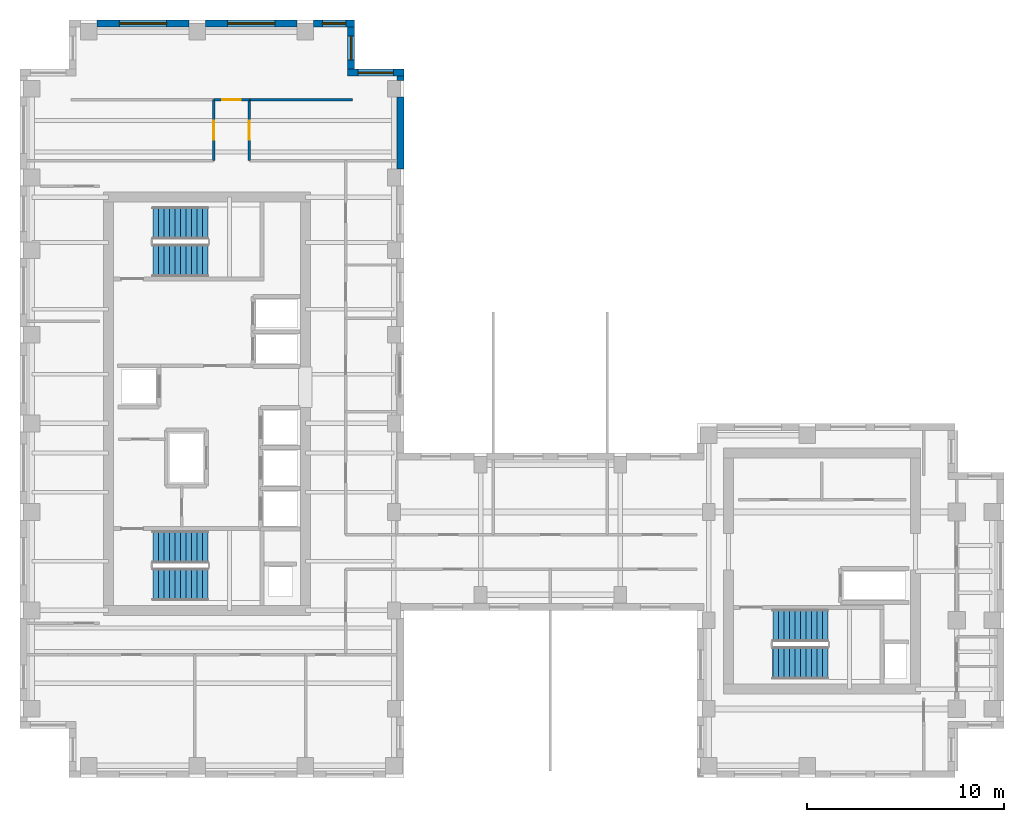
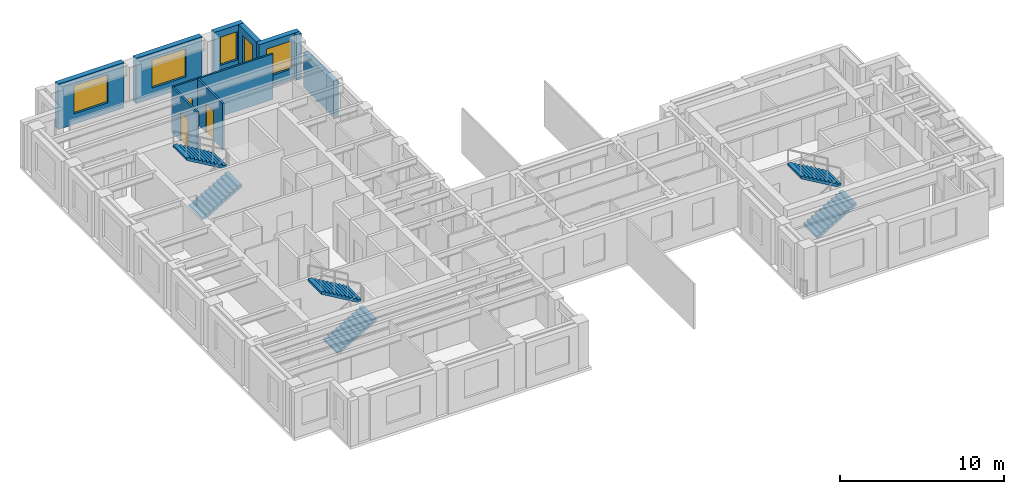
# One storey, part 9 of 11: 11 walls, 6 stair flights, 5 windows, 3 doors, 8 openings, 3 elements without a shape of their own.
"""IFC4 building model written with IfcOpenShell, lengths in metres."""

from ifc_helpers import new_model, si_unit, direction, frame, frame_2d, origin, place, context, subcontext, project, spatial, polyline, rectangle, outline, extrude, source, transform, mapped, material, layer, layer_set, type_object, element, fill, aggregate, save


model = new_model("IFC4")

# Units and contexts
model_context = context("Model", 3, precision=1e-05, world=origin(), true_north=direction((0.0, 1.0)))
body_context = subcontext(model_context, "Body", "Model", "MODEL_VIEW")
ifc_project = project(units=[si_unit("LENGTHUNIT", "METRE"), si_unit("AREAUNIT", "SQUARE_METRE"), si_unit("VOLUMEUNIT", "CUBIC_METRE"), si_unit("PLANEANGLEUNIT", "RADIAN"), si_unit("MASSUNIT", "GRAM", prefix="KILO")], contexts=[model_context])

# Site, building, storey
site_placement = place(None, origin())
site = spatial("IfcSite", under=ifc_project, at=site_placement, CompositionType="ELEMENT")
building_placement = place(site_placement, origin())
building = spatial("IfcBuilding", under=site, at=building_placement, Name="Kharzan Plaza Tower", CompositionType="ELEMENT")
storey_placement = place(building_placement, frame((0.0, 0.0, 226.800048828125)))
storey = spatial("IfcBuildingStorey", under=building, at=storey_placement, Name="L61", CompositionType="ELEMENT", Elevation=226.800048828125)

# Wall, opening, window
ifc_material_1 = material(Name="Concrete C40/50", Category="concrete")
ifc_layer_1 = layer(ifc_material_1, 0.35009765625)
ifc_layer_set_1 = layer_set([ifc_layer_1], Name="Concrete C40/50")
wall_type_1 = type_object("IfcWallType", Name="WL-EXT-MAS-Z4", PredefinedType="SOLIDWALL", material=ifc_layer_set_1)
wall_1_placement = place(storey_placement, frame((19.5, 35.824951171875, 0.0), z_axis=(0.0, 0.0, 1.0), x_axis=(-1.0, 0.0, 0.0)))
wall_1 = element("IfcWall", 1, at=wall_1_placement, inside=storey, type_object=wall_type_1, Name="L61 Masonry-Frame Exterior Wall 08", PredefinedType="SOLIDWALL", context=body_context, shape_type="SweptSolid", body=[
    extrude(rectangle(XDim=2.85009765625, YDim=0.35009765625, at=frame_2d((1.425048828125, 0.0))), origin(), (0.0, 0.0, 1.0), 3.385009765625),
])
opening_1_placement = place(wall_1_placement, frame((0.52490234375, 0.0, 0.780029296875)))
opening_1 = element("IfcOpeningElement", 2, at=opening_1_placement, cuts=wall_1, Name="Opening W1", PredefinedType="OPENING", context=body_context, shape_type="SweptSolid", body=[
    extrude(rectangle(XDim=1.800048828125, YDim=2.10009765625, at=frame_2d((0.89990234375, 1.050048828125))), frame((0.0, 0.18505859375, 0.0), z_axis=(0.0, -1.0, 0.0), x_axis=(1.0, 0.0, 0.0)), (0.0, 0.0, 1.0), 0.3701171875),
])
ifc_material_2 = material(Name="Low-E Double Glazing", Category="glass")
window_type_1 = type_object("IfcWindowType", Name="WN-REC-1800x2100", PartitioningType="SINGLE_PANEL", PredefinedType="WINDOW", material=ifc_material_2)
shared_shape_1 = source(origin(), body_context, "Body", "SweptSolid", [
    extrude(rectangle(XDim=1.800048828125, YDim=2.10009765625, at=frame_2d((0.89990234375, 1.050048828125))), frame((0.0, 0.030029296875, 0.0), z_axis=(0.0, -1.0, 0.0), x_axis=(1.0, 0.0, 0.0)), (0.0, 0.0, 1.0), 0.06005859375),
])
window_1_placement = place(opening_1_placement, origin())
window_1 = element("IfcWindow", 3, at=window_1_placement, inside=storey, type_object=window_type_1, Name="L61 Recessed Solar-Control Window 08-1", OverallHeight=2.10009765625, OverallWidth=1.800048828125, PartitioningType="SINGLE_PANEL", PredefinedType="WINDOW", context=body_context, shape_type="MappedRepresentation", body=[
    mapped(shared_shape_1, transform((0.0, 0.0, 0.0), x_axis=(1.0, 0.0, 0.0), y_axis=(0.0, 1.0, 0.0), z_axis=(0.0, 0.0, 1.0))),
])
fill(opening_1, window_1)

wall_2_placement = place(storey_placement, frame((16.824951171875, 35.998046875, 0.0), z_axis=(0.0, 0.0, 1.0), x_axis=(0.0, 1.0, 0.0)))
wall_2 = element("IfcWall", 4, at=wall_2_placement, inside=storey, type_object=wall_type_1, Name="L61 Masonry-Frame Exterior Wall 09", PredefinedType="SOLIDWALL", context=body_context, shape_type="SweptSolid", body=[
    extrude(rectangle(XDim=2.154052734375, YDim=0.35009765625, at=frame_2d((1.0771484375, 0.0))), origin(), (0.0, 0.0, 1.0), 3.385009765625),
])
opening_2_placement = place(wall_2_placement, frame((0.47705078125, 0.0, 0.780029296875)))
opening_2 = element("IfcOpeningElement", 5, at=opening_2_placement, cuts=wall_2, Name="Opening W3", PredefinedType="OPENING", context=body_context, shape_type="SweptSolid", body=[
    extrude(rectangle(XDim=1.199951171875, YDim=2.10009765625, at=frame_2d((0.60009765625, 1.050048828125))), frame((0.0, 0.18505859375, 0.0), z_axis=(0.0, -1.0, 0.0), x_axis=(1.0, 0.0, 0.0)), (0.0, 0.0, 1.0), 0.3701171875),
])
window_type_2 = type_object("IfcWindowType", Name="WN-REC-1200x2100", PartitioningType="SINGLE_PANEL", PredefinedType="WINDOW", material=ifc_material_2)
shared_shape_2 = source(origin(), body_context, "Body", "SweptSolid", [
    extrude(rectangle(XDim=1.199951171875, YDim=2.10009765625, at=frame_2d((0.60009765625, 1.050048828125))), frame((0.0, 0.030029296875, 0.0), z_axis=(0.0, -1.0, 0.0), x_axis=(1.0, 0.0, 0.0)), (0.0, 0.0, 1.0), 0.06005859375),
])
window_2_placement = place(opening_2_placement, origin())
window_2 = element("IfcWindow", 6, at=window_2_placement, inside=storey, type_object=window_type_2, Name="L61 Recessed Solar-Control Window 09-1", OverallHeight=2.10009765625, OverallWidth=1.199951171875, PartitioningType="SINGLE_PANEL", PredefinedType="WINDOW", context=body_context, shape_type="MappedRepresentation", body=[
    mapped(shared_shape_2, transform((0.0, 0.0, 0.0), x_axis=(1.0, 0.0, 0.0), y_axis=(0.0, 1.0, 0.0), z_axis=(0.0, 0.0, 1.0))),
])
fill(opening_2, window_2)

wall_3_placement = place(storey_placement, frame((17.0, 38.324951171875, 0.0), z_axis=(0.0, 0.0, 1.0), x_axis=(-1.0, 0.0, 0.0)))
wall_3 = element("IfcWall", 7, at=wall_3_placement, inside=storey, type_object=wall_type_1, Name="L61 Masonry-Frame Exterior Wall 10", PredefinedType="SOLIDWALL", context=body_context, shape_type="SweptSolid", body=[
    extrude(rectangle(XDim=2.076904296875, YDim=0.35009765625, at=frame_2d((1.03857421875, 0.0))), origin(), (0.0, 0.0, 1.0), 3.385009765625),
])
opening_3_placement = place(wall_3_placement, frame((0.4384765625, 0.0, 0.780029296875)))
opening_3 = element("IfcOpeningElement", 8, at=opening_3_placement, cuts=wall_3, Name="Opening W3", PredefinedType="OPENING", context=body_context, shape_type="SweptSolid", body=[
    extrude(rectangle(XDim=1.199951171875, YDim=2.10009765625, at=frame_2d((0.60009765625, 1.050048828125))), frame((0.0, 0.18505859375, 0.0), z_axis=(0.0, -1.0, 0.0), x_axis=(1.0, 0.0, 0.0)), (0.0, 0.0, 1.0), 0.3701171875),
])
window_3_placement = place(opening_3_placement, origin())
window_3 = element("IfcWindow", 9, at=window_3_placement, inside=storey, type_object=window_type_2, Name="L61 Recessed Solar-Control Window 10-1", OverallHeight=2.10009765625, OverallWidth=1.199951171875, PartitioningType="SINGLE_PANEL", PredefinedType="WINDOW", context=body_context, shape_type="MappedRepresentation", body=[
    mapped(shared_shape_2, transform((0.0, 0.0, 0.0), x_axis=(1.0, 0.0, 0.0), y_axis=(0.0, 1.0, 0.0), z_axis=(0.0, 0.0, 1.0))),
])
fill(opening_3, window_3)

wall_4_placement = place(storey_placement, frame((14.076904296875, 38.324951171875, 0.0), z_axis=(0.0, 0.0, 1.0), x_axis=(-1.0, 0.0, 0.0)))
wall_4 = element("IfcWall", 10, at=wall_4_placement, inside=storey, type_object=wall_type_1, Name="L61 Masonry-Frame Exterior Wall 11", PredefinedType="SOLIDWALL", context=body_context, shape_type="SweptSolid", body=[
    extrude(rectangle(XDim=4.65380859375, YDim=0.35009765625, at=frame_2d((2.326904296875, 0.0))), origin(), (0.0, 0.0, 1.0), 3.385009765625),
])
opening_4_placement = place(wall_4_placement, frame((1.126953125, 0.0, 0.780029296875)))
opening_4 = element("IfcOpeningElement", 11, at=opening_4_placement, cuts=wall_4, Name="Opening W2", PredefinedType="OPENING", context=body_context, shape_type="SweptSolid", body=[
    extrude(rectangle(XDim=2.39990234375, YDim=2.10009765625, at=frame_2d((1.199951171875, 1.050048828125))), frame((0.0, 0.18505859375, 0.0), z_axis=(0.0, -1.0, 0.0), x_axis=(1.0, 0.0, 0.0)), (0.0, 0.0, 1.0), 0.3701171875),
])
window_type_3 = type_object("IfcWindowType", Name="WN-REC-2400x2100", PartitioningType="SINGLE_PANEL", PredefinedType="WINDOW", material=ifc_material_2)
shared_shape_3 = source(origin(), body_context, "Body", "SweptSolid", [
    extrude(rectangle(XDim=2.39990234375, YDim=2.10009765625, at=frame_2d((1.199951171875, 1.050048828125))), frame((0.0, 0.030029296875, 0.0), z_axis=(0.0, -1.0, 0.0), x_axis=(1.0, 0.0, 0.0)), (0.0, 0.0, 1.0), 0.06005859375),
])
window_4_placement = place(opening_4_placement, origin())
window_4 = element("IfcWindow", 12, at=window_4_placement, inside=storey, type_object=window_type_3, Name="L61 Wide Recessed Solar-Control Window 11-1", OverallHeight=2.10009765625, OverallWidth=2.39990234375, PartitioningType="SINGLE_PANEL", PredefinedType="WINDOW", context=body_context, shape_type="MappedRepresentation", body=[
    mapped(shared_shape_3, transform((0.0, 0.0, 0.0), x_axis=(1.0, 0.0, 0.0), y_axis=(0.0, 1.0, 0.0), z_axis=(0.0, 0.0, 1.0))),
])
fill(opening_4, window_4)

wall_5_placement = place(storey_placement, frame((8.576904296875, 38.324951171875, 0.0), z_axis=(0.0, 0.0, 1.0), x_axis=(-1.0, 0.0, 0.0)))
wall_5 = element("IfcWall", 13, at=wall_5_placement, inside=storey, type_object=wall_type_1, Name="L61 Masonry-Frame Exterior Wall 12", PredefinedType="SOLIDWALL", context=body_context, shape_type="SweptSolid", body=[
    extrude(rectangle(XDim=4.65380859375, YDim=0.35009765625, at=frame_2d((2.326904296875, 0.0))), origin(), (0.0, 0.0, 1.0), 3.385009765625),
])
opening_5_placement = place(wall_5_placement, frame((1.126953125, 0.0, 0.780029296875)))
opening_5 = element("IfcOpeningElement", 14, at=opening_5_placement, cuts=wall_5, Name="Opening W2", PredefinedType="OPENING", context=body_context, shape_type="SweptSolid", body=[
    extrude(rectangle(XDim=2.39990234375, YDim=2.10009765625, at=frame_2d((1.199951171875, 1.050048828125))), frame((0.0, 0.18505859375, 0.0), z_axis=(0.0, -1.0, 0.0), x_axis=(1.0, 0.0, 0.0)), (0.0, 0.0, 1.0), 0.3701171875),
])
window_5_placement = place(opening_5_placement, origin())
window_5 = element("IfcWindow", 15, at=window_5_placement, inside=storey, type_object=window_type_3, Name="L61 Wide Recessed Solar-Control Window 12-1", OverallHeight=2.10009765625, OverallWidth=2.39990234375, PartitioningType="SINGLE_PANEL", PredefinedType="WINDOW", context=body_context, shape_type="MappedRepresentation", body=[
    mapped(shared_shape_3, transform((0.0, 0.0, 0.0), x_axis=(1.0, 0.0, 0.0), y_axis=(0.0, 1.0, 0.0), z_axis=(0.0, 0.0, 1.0))),
])
fill(opening_5, window_5)

# Wall, opening, door
ifc_material_3 = material(Name="Fire-Rated Gypsum Board Partition", Category="gypsum")
ifc_layer_2 = layer(ifc_material_3, 0.125)
ifc_layer_set_2 = layer_set([ifc_layer_2], Name="Fire-Rated Gypsum Board Partition")
wall_type_2 = type_object("IfcWallType", Name="WL-INT-PART-125", PredefinedType="PARTITIONING", material=ifc_layer_set_2)
wall_6_placement = place(storey_placement, frame((11.64990234375, 31.35009765625, 0.0), z_axis=(0.0, 0.0, 1.0), x_axis=(0.0, 1.0, 0.0)))
wall_6 = element("IfcWall", 16, at=wall_6_placement, inside=storey, type_object=wall_type_2, Name="L61 Interior Partition SH-SPE-1", PredefinedType="PARTITIONING", context=body_context, shape_type="SweptSolid", body=[
    extrude(rectangle(XDim=3.099853515625, YDim=0.125, at=frame_2d((1.5498046875, 0.0))), origin(), (0.0, 0.0, 1.0), 3.385009765625),
])
opening_6_placement = place(wall_6_placement, frame((1.074951171875, 0.0, 0.0)))
opening_6 = element("IfcOpeningElement", 17, at=opening_6_placement, cuts=wall_6, Name="Opening OD1", PredefinedType="OPENING", context=body_context, shape_type="SweptSolid", body=[
    extrude(rectangle(XDim=0.949951171875, YDim=2.14990234375, at=frame_2d((0.47509765625, 1.074951171875))), frame((0.0, 0.072509765625, 0.0), z_axis=(0.0, -1.0, 0.0), x_axis=(1.0, 0.0, 0.0)), (0.0, 0.0, 1.0), 0.14501953125),
])
ifc_material_4 = material(Name="Acoustic Solid-Core Stained Oak", Category="timber")
door_type = type_object("IfcDoorType", Name="DR-OFF-SINGLE", OperationType="NOTDEFINED", PredefinedType="DOOR", material=ifc_material_4)
shared_shape_4 = source(origin(), body_context, "Body", "SweptSolid", [
    extrude(rectangle(XDim=0.949951171875, YDim=2.14990234375, at=frame_2d((0.47509765625, 1.074951171875))), frame((0.0, 0.02490234375, 0.0), z_axis=(0.0, -1.0, 0.0), x_axis=(1.0, 0.0, 0.0)), (0.0, 0.0, 1.0), 0.050048828125),
])
door_1_placement = place(opening_6_placement, origin())
door_1 = element("IfcDoor", 18, at=door_1_placement, inside=storey, type_object=door_type, Name="L61 Occupational Health Treatment Room Door", OperationType="SINGLE_SWING_RIGHT", OverallHeight=2.14990234375, OverallWidth=0.949951171875, PredefinedType="DOOR", context=body_context, shape_type="MappedRepresentation", body=[
    mapped(shared_shape_4, transform((0.0, 0.0, 0.0), x_axis=(1.0, 0.0, 0.0), y_axis=(0.0, 1.0, 0.0), z_axis=(0.0, 0.0, 1.0))),
])
fill(opening_6, door_1)

wall_7_placement = place(storey_placement, frame((9.85009765625, 34.449951171875, 0.0), z_axis=(0.0, 0.0, 1.0), x_axis=(1.0, 0.0, 0.0)))
wall_7 = element("IfcWall", 19, at=wall_7_placement, inside=storey, type_object=wall_type_2, Name="L61 Interior Partition SH-SPHD", PredefinedType="PARTITIONING", context=body_context, shape_type="SweptSolid", body=[
    extrude(rectangle(XDim=1.7998046875, YDim=0.125, at=frame_2d((0.89990234375, 0.0))), origin(), (0.0, 0.0, 1.0), 3.385009765625),
])
opening_7_placement = place(wall_7_placement, frame((0.425048828125, 0.0, 0.0)))
opening_7 = element("IfcOpeningElement", 20, at=opening_7_placement, cuts=wall_7, Name="Opening OD1", PredefinedType="OPENING", context=body_context, shape_type="SweptSolid", body=[
    extrude(rectangle(XDim=0.949951171875, YDim=2.14990234375, at=frame_2d((0.47509765625, 1.074951171875))), frame((0.0, 0.072509765625, 0.0), z_axis=(0.0, -1.0, 0.0), x_axis=(1.0, 0.0, 0.0)), (0.0, 0.0, 1.0), 0.14501953125),
])
door_2_placement = place(opening_7_placement, origin())
door_2 = element("IfcDoor", 21, at=door_2_placement, inside=storey, type_object=door_type, Name="L61 North Boardroom Door", OperationType="SINGLE_SWING_LEFT", OverallHeight=2.14990234375, OverallWidth=0.949951171875, PredefinedType="DOOR", context=body_context, shape_type="MappedRepresentation", body=[
    mapped(shared_shape_4, transform((0.0, 0.0, 0.0), x_axis=(1.0, 0.0, 0.0), y_axis=(0.0, 1.0, 0.0), z_axis=(0.0, 0.0, 1.0))),
])
fill(opening_7, door_2)

wall_8_placement = place(storey_placement, frame((9.85009765625, 31.35009765625, 0.0), z_axis=(0.0, 0.0, 1.0), x_axis=(0.0, 1.0, 0.0)))
wall_8 = element("IfcWall", 22, at=wall_8_placement, inside=storey, type_object=wall_type_2, Name="L61 Interior Partition SH-SPW-1", PredefinedType="PARTITIONING", context=body_context, shape_type="SweptSolid", body=[
    extrude(rectangle(XDim=3.099853515625, YDim=0.125, at=frame_2d((1.5498046875, 0.0))), origin(), (0.0, 0.0, 1.0), 3.385009765625),
])
opening_8_placement = place(wall_8_placement, frame((1.074951171875, 0.0, 0.0)))
opening_8 = element("IfcOpeningElement", 23, at=opening_8_placement, cuts=wall_8, Name="Opening OD1", PredefinedType="OPENING", context=body_context, shape_type="SweptSolid", body=[
    extrude(rectangle(XDim=0.949951171875, YDim=2.14990234375, at=frame_2d((0.47509765625, 1.074951171875))), frame((0.0, 0.072509765625, 0.0), z_axis=(0.0, -1.0, 0.0), x_axis=(1.0, 0.0, 0.0)), (0.0, 0.0, 1.0), 0.14501953125),
])
door_3_placement = place(opening_8_placement, origin())
door_3 = element("IfcDoor", 24, at=door_3_placement, inside=storey, type_object=door_type, Name="L61 Staff Refreshment Pantry Door", OperationType="SINGLE_SWING_LEFT", OverallHeight=2.14990234375, OverallWidth=0.949951171875, PredefinedType="DOOR", context=body_context, shape_type="MappedRepresentation", body=[
    mapped(shared_shape_4, transform((0.0, 0.0, 0.0), x_axis=(1.0, 0.0, 0.0), y_axis=(0.0, 1.0, 0.0), z_axis=(0.0, 0.0, 1.0))),
])
fill(opening_8, door_3)

# Walls
shared_shape_5 = source(origin(), body_context, "Body", "SweptSolid", [
    extrude(rectangle(XDim=0.22900390625, YDim=0.35009765625, at=frame_2d((0.114501953125, 0.0))), origin(), (0.0, 0.0, 1.0), 3.385009765625),
])
wall_9_placement = place(storey_placement, frame((19.324951171875, 35.423095703125, 0.0), z_axis=(0.0, 0.0, 1.0), x_axis=(0.0, 1.0, 0.0)))
element("IfcWall", 25, at=wall_9_placement, inside=storey, type_object=wall_type_1, Name="L61 Masonry-Frame Exterior Wall 07", PredefinedType="SOLIDWALL", context=body_context, shape_type="MappedRepresentation", body=[
    mapped(shared_shape_5, transform((0.0, 0.0, 0.0), x_axis=(1.0, 0.0, 0.0), y_axis=(0.0, 1.0, 0.0), z_axis=(0.0, 0.0, 1.0))),
])
shared_shape_6 = source(origin(), body_context, "Body", "SweptSolid", [
    extrude(rectangle(XDim=3.65380859375, YDim=0.35009765625, at=frame_2d((1.826904296875, 0.0))), origin(), (0.0, 0.0, 1.0), 2.618896484375),
])
wall_10_placement = place(storey_placement, frame((19.324951171875, 30.923095703125, 0.0), z_axis=(0.0, 0.0, 1.0), x_axis=(0.0, 1.0, 0.0)))
element("IfcWall", 26, at=wall_10_placement, inside=storey, type_object=wall_type_1, Name="L61 Masonry-Frame Exterior Wall 06", PredefinedType="SOLIDWALL", context=body_context, shape_type="MappedRepresentation", body=[
    mapped(shared_shape_6, transform((0.0, 0.0, 0.0), x_axis=(1.0, 0.0, 0.0), y_axis=(0.0, 1.0, 0.0), z_axis=(0.0, 0.0, 1.0))),
])
shared_shape_7 = source(origin(), body_context, "Body", "SweptSolid", [
    extrude(rectangle(XDim=5.25, YDim=0.125, at=frame_2d((2.625, 0.0))), origin(), (0.0, 0.0, 1.0), 3.385009765625),
])
wall_11_placement = place(storey_placement, frame((11.64990234375, 34.449951171875, 0.0), z_axis=(0.0, 0.0, 1.0), x_axis=(1.0, 0.0, 0.0)))
element("IfcWall", 27, at=wall_11_placement, inside=storey, type_object=wall_type_2, Name="L61 Interior Partition SH-SPHE", PredefinedType="PARTITIONING", context=body_context, shape_type="MappedRepresentation", body=[
    mapped(shared_shape_7, transform((0.0, 0.0, 0.0), x_axis=(1.0, 0.0, 0.0), y_axis=(0.0, 1.0, 0.0), z_axis=(0.0, 0.0, 1.0))),
])

# Stair, stair flights
stair_type_1 = type_object("IfcStairType", Name="STR-ST-1", PredefinedType="HALF_TURN_STAIR", material=ifc_material_1)
stair_1_placement = place(storey_placement, origin())
stair_1 = element("IfcStair", 28, at=stair_1_placement, inside=storey, type_object=stair_type_1, Name="L61 Protected Exit Stair ST-1", PredefinedType="HALF_TURN_STAIR")
stair_flight_type = type_object("IfcStairFlightType", Name="SFL-1650-R173", PredefinedType="STRAIGHT", material=ifc_material_1)
shared_shape_8 = source(origin(), body_context, "Body", "SweptSolid", [
    extrude(outline(polyline([(-0.0029296875, -0.011962890625), (-0.0029296875, 0.0), (0.0, 0.0), (0.0, 0.16357421875), (0.280029296875, 0.16357421875), (0.280029296875, 0.3271484375), (0.56005859375, 0.3271484375), (0.56005859375, 0.49072265625), (0.840087890625, 0.49072265625), (0.840087890625, 0.654296875), (1.1201171875, 0.654296875), (1.1201171875, 0.81787109375), (1.400146484375, 0.81787109375), (1.400146484375, 0.9814453125), (1.68017578125, 0.9814453125), (1.68017578125, 1.14501953125), (1.960205078125, 1.14501953125), (1.960205078125, 1.30859375), (2.240234375, 1.30859375), (2.240234375, 1.47216796875), (2.520263671875, 1.47216796875), (2.520263671875, 1.6357421875), (2.80029296875, 1.6357421875), (2.80029296875, 1.79931640625), (2.80029296875, 1.462158203125), (0.297119140625, 0.0), (0.297119140625, -0.011962890625), (-0.0029296875, -0.011962890625)])), frame((0.0, 0.824951171875, 0.0), z_axis=(0.0, -1.0, 0.0), x_axis=(1.0, 0.0, 0.0)), (0.0, 0.0, 1.0), 1.64990234375),
])
stair_flight_1_placement = place(storey_placement, frame((6.75, 9.824951171875, 0.0), z_axis=(0.0, 0.0, 1.0), x_axis=(1.0, 0.0, 0.0)))
stair_flight_1 = element("IfcStairFlight", 29, at=stair_flight_1_placement, type_object=stair_flight_type, Name="ST-1 flight 1", NumberOfRisers=11, NumberOfTreads=10, PredefinedType="STRAIGHT", RiserHeight=0.163636364, TreadLength=0.28, context=body_context, shape_type="MappedRepresentation", body=[
    mapped(shared_shape_8, transform((0.0, 0.0, 0.0), x_axis=(1.0, 0.0, 0.0), y_axis=(0.0, 1.0, 0.0), z_axis=(0.0, 0.0, 1.0))),
])
stair_flight_2_placement = place(storey_placement, frame((9.550048828125, 11.72509765625, 1.800048828125), z_axis=(0.0, 0.0, 1.0), x_axis=(-1.0, 0.0, 0.0)))
stair_flight_2 = element("IfcStairFlight", 30, at=stair_flight_2_placement, type_object=stair_flight_type, Name="ST-1 flight 2", NumberOfRisers=11, NumberOfTreads=10, PredefinedType="STRAIGHT", RiserHeight=0.163636364, TreadLength=0.28, context=body_context, shape_type="MappedRepresentation", body=[
    mapped(shared_shape_8, transform((0.0, 0.0, 0.0), x_axis=(1.0, 0.0, 0.0), y_axis=(0.0, 1.0, 0.0), z_axis=(0.0, 0.0, 1.0))),
])
aggregate(stair_1, [stair_flight_1, stair_flight_2])

stair_type_2 = type_object("IfcStairType", Name="STR-ST-2", PredefinedType="HALF_TURN_STAIR", material=ifc_material_1)
stair_2_placement = place(storey_placement, origin())
stair_2 = element("IfcStair", 31, at=stair_2_placement, inside=storey, type_object=stair_type_2, Name="L61 Protected Exit Stair ST-2", PredefinedType="HALF_TURN_STAIR")
stair_flight_3_placement = place(storey_placement, frame((6.75, 26.27490234375, 0.0), z_axis=(0.0, 0.0, 1.0), x_axis=(1.0, 0.0, 0.0)))
stair_flight_3 = element("IfcStairFlight", 32, at=stair_flight_3_placement, type_object=stair_flight_type, Name="ST-2 flight 1", NumberOfRisers=11, NumberOfTreads=10, PredefinedType="STRAIGHT", RiserHeight=0.163636364, TreadLength=0.28, context=body_context, shape_type="MappedRepresentation", body=[
    mapped(shared_shape_8, transform((0.0, 0.0, 0.0), x_axis=(1.0, 0.0, 0.0), y_axis=(0.0, 1.0, 0.0), z_axis=(0.0, 0.0, 1.0))),
])
stair_flight_4_placement = place(storey_placement, frame((9.550048828125, 28.175048828125, 1.800048828125), z_axis=(0.0, 0.0, 1.0), x_axis=(-1.0, 0.0, 0.0)))
stair_flight_4 = element("IfcStairFlight", 33, at=stair_flight_4_placement, type_object=stair_flight_type, Name="ST-2 flight 2", NumberOfRisers=11, NumberOfTreads=10, PredefinedType="STRAIGHT", RiserHeight=0.163636364, TreadLength=0.28, context=body_context, shape_type="MappedRepresentation", body=[
    mapped(shared_shape_8, transform((0.0, 0.0, 0.0), x_axis=(1.0, 0.0, 0.0), y_axis=(0.0, 1.0, 0.0), z_axis=(0.0, 0.0, 1.0))),
])
aggregate(stair_2, [stair_flight_3, stair_flight_4])

stair_type_3 = type_object("IfcStairType", Name="STR-ST-3", PredefinedType="HALF_TURN_STAIR", material=ifc_material_1)
stair_3_placement = place(storey_placement, origin())
stair_3 = element("IfcStair", 34, at=stair_3_placement, inside=storey, type_object=stair_type_3, Name="L61 Protected Exit Stair ST-3", PredefinedType="HALF_TURN_STAIR")
stair_flight_5_placement = place(storey_placement, frame((38.25, 5.824951171875, 0.0), z_axis=(0.0, 0.0, 1.0), x_axis=(1.0, 0.0, 0.0)))
stair_flight_5 = element("IfcStairFlight", 35, at=stair_flight_5_placement, type_object=stair_flight_type, Name="ST-3 flight 1", NumberOfRisers=11, NumberOfTreads=10, PredefinedType="STRAIGHT", RiserHeight=0.163636364, TreadLength=0.28, context=body_context, shape_type="MappedRepresentation", body=[
    mapped(shared_shape_8, transform((0.0, 0.0, 0.0), x_axis=(1.0, 0.0, 0.0), y_axis=(0.0, 1.0, 0.0), z_axis=(0.0, 0.0, 1.0))),
])
stair_flight_6_placement = place(storey_placement, frame((41.050048828125, 7.72509765625, 1.800048828125), z_axis=(0.0, 0.0, 1.0), x_axis=(-1.0, 0.0, 0.0)))
stair_flight_6 = element("IfcStairFlight", 36, at=stair_flight_6_placement, type_object=stair_flight_type, Name="ST-3 flight 2", NumberOfRisers=11, NumberOfTreads=10, PredefinedType="STRAIGHT", RiserHeight=0.163636364, TreadLength=0.28, context=body_context, shape_type="MappedRepresentation", body=[
    mapped(shared_shape_8, transform((0.0, 0.0, 0.0), x_axis=(1.0, 0.0, 0.0), y_axis=(0.0, 1.0, 0.0), z_axis=(0.0, 0.0, 1.0))),
])
aggregate(stair_3, [stair_flight_5, stair_flight_6])

save(model, "model.ifc")
